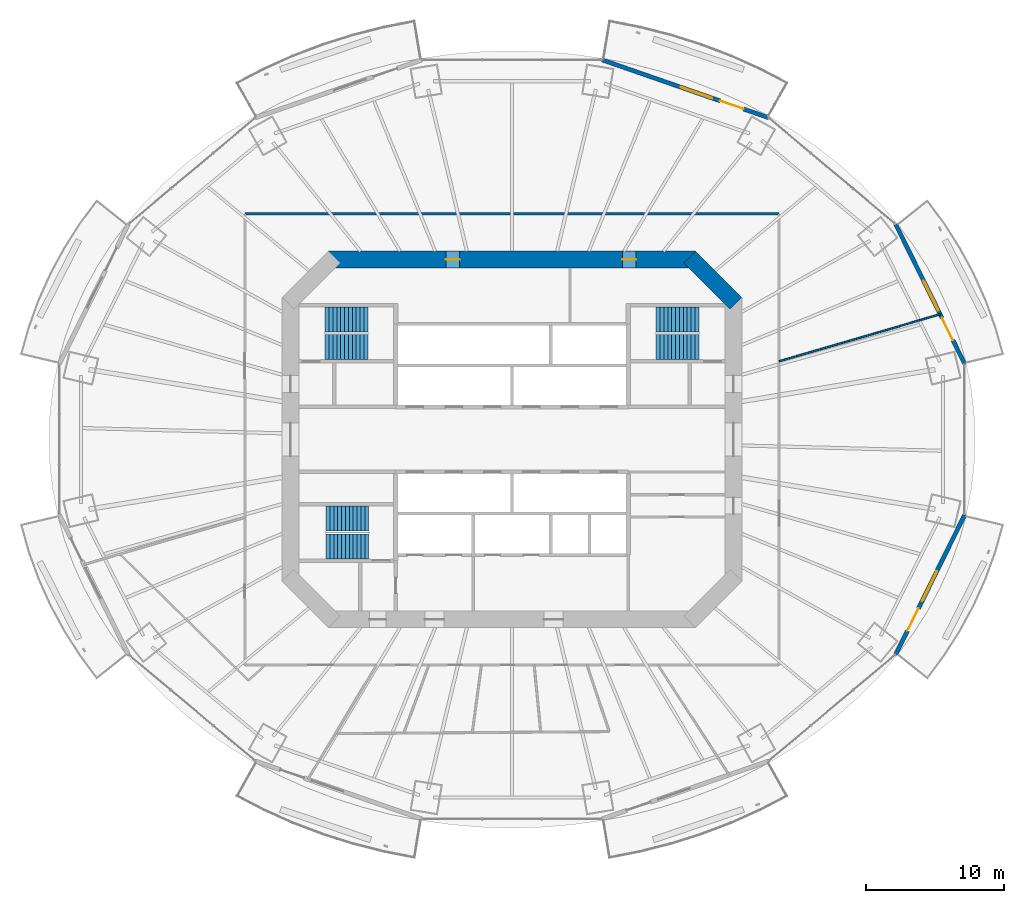
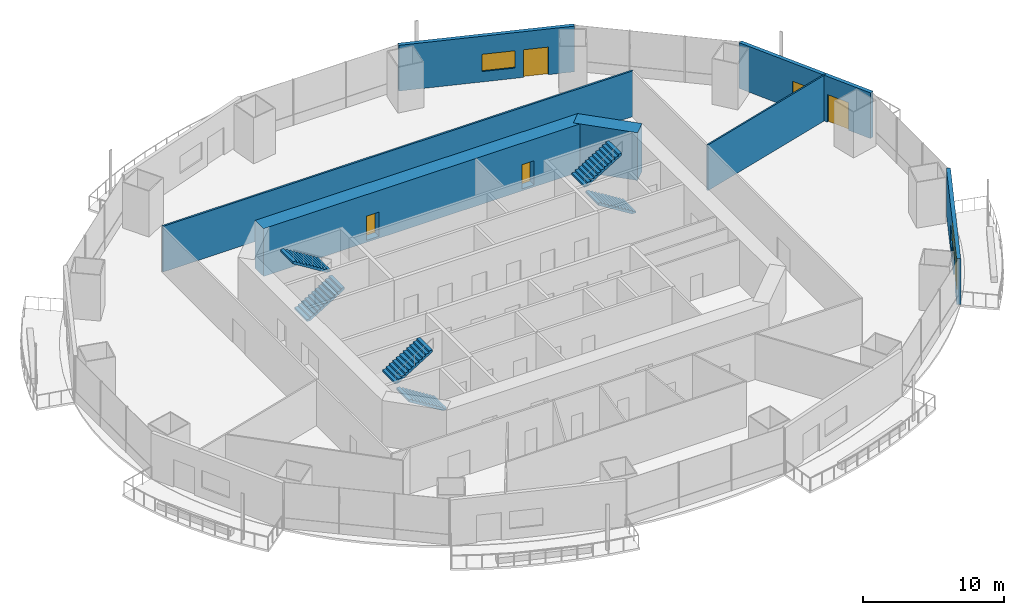
# One storey, part 15 of 20: 7 walls, 6 stair flights, 5 doors, 3 windows, 8 openings, 3 elements without a shape of their own.
"""IFC4 building model written with IfcOpenShell, lengths in metres."""

from ifc_helpers import new_model, si_unit, direction, frame, frame_2d, origin, place, context, subcontext, project, spatial, polyline, rectangle, outline, extrude, material, layer, layer_set, type_object, element, fill, aggregate, save


model = new_model("IFC4")

# Units and contexts
model_context = context("Model", 3, precision=1e-05, world=origin(), true_north=direction((0.0, 1.0)))
body_context = subcontext(model_context, "Body", "Model", "MODEL_VIEW")
ifc_project = project(units=[si_unit("LENGTHUNIT", "METRE"), si_unit("AREAUNIT", "SQUARE_METRE"), si_unit("VOLUMEUNIT", "CUBIC_METRE"), si_unit("PLANEANGLEUNIT", "RADIAN"), si_unit("MASSUNIT", "GRAM", prefix="KILO")], contexts=[model_context])

# Site, building, storey
site_placement = place(None, origin())
site = spatial("IfcSite", under=ifc_project, at=site_placement, CompositionType="ELEMENT")
building_placement = place(site_placement, origin())
building = spatial("IfcBuilding", under=site, at=building_placement, Name="Marenthal Gate Tower", CompositionType="ELEMENT")
storey_placement = place(building_placement, frame((0.0, 0.0, 132.60009765625)))
storey = spatial("IfcBuildingStorey", under=building, at=storey_placement, Name="L28", CompositionType="ELEMENT", Elevation=132.60009765625)

# Wall
ifc_material_1 = material(Name="Concrete 60 MPa", Category="concrete")
ifc_layer_1 = layer(ifc_material_1, 1.199951171875)
ifc_layer_set_1 = layer_set([ifc_layer_1], Name="Core shear wall 1200")
wall_type_1 = type_object("IfcWallType", Name="Core shear wall 1200", PredefinedType="SHEAR", material=ifc_layer_set_1)
wall_1_placement = place(storey_placement, frame((16.17578125, 9.82421875, -0.18017578125), z_axis=(0.0, 0.0, 1.0), x_axis=(-0.707106781187, 0.707106781187, 0.0)))
element("IfcWall", 1, at=wall_1_placement, inside=storey, type_object=wall_type_1, Name="Core wall 03", PredefinedType="SHEAR", context=body_context, shape_type="SweptSolid", body=[
    extrude(rectangle(XDim=4.73974609375, YDim=1.199951171875, at=frame_2d((2.369873046875, 0.0))), origin(), (0.0, 0.0, 1.0), 4.150146484375),
])

# Wall, openings, doors
wall_2_placement = place(storey_placement, frame((13.24853515625, 13.0, -0.18017578125), z_axis=(0.0, 0.0, 1.0), x_axis=(-1.0, 0.0, 0.0)))
wall_2 = element("IfcWall", 2, at=wall_2_placement, inside=storey, type_object=wall_type_1, Name="Core wall 04", PredefinedType="SHEAR", context=body_context, shape_type="SweptSolid", body=[
    extrude(rectangle(XDim=26.4970703125, YDim=1.199951171875, at=frame_2d((13.24853515625, 0.0))), origin(), (0.0, 0.0, 1.0), 4.150146484375),
])
opening_1_placement = place(wall_2_placement, frame((17.0244140625, 0.0, 0.179931640625)))
opening_1 = element("IfcOpeningElement", 3, at=opening_1_placement, cuts=wall_2, Name="Opening D005.01", PredefinedType="OPENING", context=body_context, shape_type="SweptSolid", body=[
    extrude(rectangle(XDim=1.0, YDim=2.10009765625, at=frame_2d((0.5, 1.050048828125))), frame((0.0, 0.60986328125, 0.0), z_axis=(0.0, -1.0, 0.0), x_axis=(1.0, 0.0, 0.0)), (0.0, 0.0, 1.0), 1.219970703125),
])
opening_2_placement = place(wall_2_placement, frame((4.2724609375, 0.0, 0.179931640625)))
opening_2 = element("IfcOpeningElement", 4, at=opening_2_placement, cuts=wall_2, Name="Opening D005.02", PredefinedType="OPENING", context=body_context, shape_type="SweptSolid", body=[
    extrude(rectangle(XDim=1.0, YDim=2.10009765625, at=frame_2d((0.5, 1.050048828125))), frame((0.0, 0.60986328125, 0.0), z_axis=(0.0, -1.0, 0.0), x_axis=(1.0, 0.0, 0.0)), (0.0, 0.0, 1.0), 1.219970703125),
])
ifc_material_2 = material(Name="Steel fire door", Category="steel")
door_type_1 = type_object("IfcDoorType", Name="Fire door FD 45 1000 x 2100", OperationType="NOTDEFINED", PredefinedType="DOOR", material=ifc_material_2)
door_1_placement = place(opening_1_placement, origin())
door_1 = element("IfcDoor", 5, at=door_1_placement, inside=storey, type_object=door_type_1, Name="Door D005.01", OperationType="SINGLE_SWING_RIGHT", OverallHeight=2.10009765625, OverallWidth=1.0, PredefinedType="DOOR", context=body_context, shape_type="SweptSolid", body=[
    extrude(rectangle(XDim=1.0, YDim=2.10009765625, at=frame_2d((0.5, 1.050048828125))), frame((0.0, 0.02490234375, 0.0), z_axis=(0.0, -1.0, 0.0), x_axis=(1.0, 0.0, 0.0)), (0.0, 0.0, 1.0), 0.050048828125),
])
fill(opening_1, door_1)
door_2_placement = place(opening_2_placement, origin())
door_2 = element("IfcDoor", 6, at=door_2_placement, inside=storey, type_object=door_type_1, Name="Door D005.02", OperationType="SINGLE_SWING_RIGHT", OverallHeight=2.10009765625, OverallWidth=1.0, PredefinedType="DOOR", context=body_context, shape_type="SweptSolid", body=[
    extrude(rectangle(XDim=1.0, YDim=2.10009765625, at=frame_2d((0.5, 1.050048828125))), frame((0.0, 0.02490234375, 0.0), z_axis=(0.0, -1.0, 0.0), x_axis=(1.0, 0.0, 0.0)), (0.0, 0.0, 1.0), 0.050048828125),
])
fill(opening_2, door_2)

# Walls
ifc_material_3 = material(Name="Gypsum board on steel studs", Category="steel")
ifc_layer_2 = layer(ifc_material_3, 0.1201171875)
ifc_layer_set_2 = layer_set([ifc_layer_2], Name="Partition 120")
wall_type_2 = type_object("IfcWallType", Name="Partition 120", PredefinedType="PARTITIONING", material=ifc_layer_set_2)
wall_3_placement = place(storey_placement, frame((19.300048828125, 5.64111328125, 0.0), z_axis=(0.0, 0.0, 1.0), x_axis=(0.959840289201, 0.280547000032, 0.0)))
element("IfcWall", 7, at=wall_3_placement, inside=storey, type_object=wall_type_2, Name="Partition wall 60", PredefinedType="PARTITIONING", context=body_context, shape_type="SweptSolid", body=[
    extrude(rectangle(XDim=12.1162109375, YDim=0.1201171875, at=frame_2d((6.05810546875, 0.0))), origin(), (0.0, 0.0, 1.0), 3.969970703125),
])
ifc_material_4 = material(Name="Gypsum board on steel studs", Category="steel")
ifc_layer_3 = layer(ifc_material_4, 0.14990234375)
ifc_layer_set_3 = layer_set([ifc_layer_3], Name="Partition 150")
wall_type_3 = type_object("IfcWallType", Name="Partition 150", PredefinedType="PARTITIONING", material=ifc_layer_set_3)
wall_4_placement = place(storey_placement, frame((-19.300048828125, 16.300048828125, 0.0), z_axis=(0.0, 0.0, 1.0), x_axis=(1.0, 0.0, 0.0)))
element("IfcWall", 8, at=wall_4_placement, inside=storey, type_object=wall_type_3, Name="Partition wall 50", PredefinedType="PARTITIONING", context=body_context, shape_type="SweptSolid", body=[
    extrude(rectangle(XDim=38.60009765625, YDim=0.14990234375, at=frame_2d((19.300048828125, 0.0))), origin(), (0.0, 0.0, 1.0), 3.969970703125),
])

# Wall, openings, door, window
ifc_material_5 = material(Name="Terracotta cladding on insulated concrete-block backing", Category="masonry")
ifc_layer_4 = layer(ifc_material_5, 0.300048828125)
ifc_layer_set_4 = layer_set([ifc_layer_4], Name="Terracotta facade wall 300")
wall_type_4 = type_object("IfcWallType", Name="Terracotta facade wall 300", PredefinedType="SOLIDWALL", material=ifc_layer_set_4)
wall_5_placement = place(storey_placement, frame((32.701416015625, 5.4541015625, 0.0), z_axis=(0.0, 0.0, 1.0), x_axis=(-0.442899302783, 0.896571362243, 0.0)))
wall_5 = element("IfcWall", 9, at=wall_5_placement, inside=storey, type_object=wall_type_4, Name="Terracotta facade wall L28 bay 1", PredefinedType="SOLIDWALL", context=body_context, shape_type="SweptSolid", body=[
    extrude(rectangle(XDim=11.24072265625, YDim=0.300048828125, at=frame_2d((5.620361328125, 0.0))), origin(), (0.0, 0.0, 1.0), 3.969970703125),
])
opening_3_placement = place(wall_5_placement, frame((1.89990234375, 0.0, 0.0)))
opening_3 = element("IfcOpeningElement", 10, at=opening_3_placement, cuts=wall_5, Name="Opening BD-L28-01", PredefinedType="OPENING", context=body_context, shape_type="SweptSolid", body=[
    extrude(rectangle(XDim=1.800048828125, YDim=2.39990234375, at=frame_2d((0.89990234375, 1.199951171875))), frame((0.0, 0.16015625, 0.0), z_axis=(0.0, -1.0, 0.0), x_axis=(1.0, 0.0, 0.0)), (0.0, 0.0, 1.0), 0.320068359375),
])
opening_4_placement = place(wall_5_placement, frame((4.300048828125, 0.0, 0.89990234375)))
opening_4 = element("IfcOpeningElement", 11, at=opening_4_placement, cuts=wall_5, Name="Opening WN1-L28-01", PredefinedType="OPENING", context=body_context, shape_type="SweptSolid", body=[
    extrude(rectangle(XDim=2.39990234375, YDim=1.5, at=frame_2d((1.199951171875, 0.75))), frame((0.0, 0.16015625, 0.0), z_axis=(0.0, -1.0, 0.0), x_axis=(1.0, 0.0, 0.0)), (0.0, 0.0, 1.0), 0.320068359375),
])
ifc_material_6 = material(Name="Aluminium and glass", Category="aluminium")
door_type_2 = type_object("IfcDoorType", Name="Balcony door 1800x2400", OperationType="DOUBLE_DOOR_SINGLE_SWING", PredefinedType="DOOR", material=ifc_material_6)
door_3_placement = place(opening_3_placement, origin())
door_3 = element("IfcDoor", 12, at=door_3_placement, inside=storey, type_object=door_type_2, Name="Balcony door L28 bay 1", OperationType="SINGLE_SWING_LEFT", OverallHeight=2.39990234375, OverallWidth=1.800048828125, PredefinedType="DOOR", context=body_context, shape_type="SweptSolid", body=[
    extrude(rectangle(XDim=1.800048828125, YDim=2.39990234375, at=frame_2d((0.89990234375, 1.199951171875))), frame((0.0, 0.02490234375, 0.0), z_axis=(0.0, -1.0, 0.0), x_axis=(1.0, 0.0, 0.0)), (0.0, 0.0, 1.0), 0.050048828125),
])
fill(opening_3, door_3)
ifc_material_7 = material(Name="Aluminium and glass", Category="aluminium")
window_type = type_object("IfcWindowType", Name="Window 2400x1500", PartitioningType="TRIPLE_PANEL_VERTICAL", PredefinedType="WINDOW", material=ifc_material_7)
window_1_placement = place(opening_4_placement, origin())
window_1 = element("IfcWindow", 13, at=window_1_placement, inside=storey, type_object=window_type, Name="Window L28 bay 1", OverallHeight=1.5, OverallWidth=2.39990234375, PartitioningType="SINGLE_PANEL", PredefinedType="WINDOW", context=body_context, shape_type="SweptSolid", body=[
    extrude(rectangle(XDim=2.39990234375, YDim=1.5, at=frame_2d((1.199951171875, 0.75))), frame((0.0, 0.030029296875, 0.0), z_axis=(0.0, -1.0, 0.0), x_axis=(1.0, 0.0, 0.0)), (0.0, 0.0, 1.0), 0.06005859375),
])
fill(opening_4, window_1)

wall_6_placement = place(storey_placement, frame((18.523681640625, 23.245361328125, 0.0), z_axis=(0.0, 0.0, 1.0), x_axis=(-0.944642444618, 0.328101587661, 0.0)))
wall_6 = element("IfcWall", 14, at=wall_6_placement, inside=storey, type_object=wall_type_4, Name="Terracotta facade wall L28 bay 3", PredefinedType="SOLIDWALL", context=body_context, shape_type="SweptSolid", body=[
    extrude(rectangle(XDim=12.723388671875, YDim=0.300048828125, at=frame_2d((6.36181640625, 0.0))), origin(), (0.0, 0.0, 1.0), 3.969970703125),
])
opening_5_placement = place(wall_6_placement, frame((1.89990234375, 0.0, 0.0)))
opening_5 = element("IfcOpeningElement", 15, at=opening_5_placement, cuts=wall_6, Name="Opening BD-L28-03", PredefinedType="OPENING", context=body_context, shape_type="SweptSolid", body=[
    extrude(rectangle(XDim=1.800048828125, YDim=2.39990234375, at=frame_2d((0.89990234375, 1.199951171875))), frame((0.0, 0.16015625, 0.0), z_axis=(0.0, -1.0, 0.0), x_axis=(1.0, 0.0, 0.0)), (0.0, 0.0, 1.0), 0.320068359375),
])
opening_6_placement = place(wall_6_placement, frame((4.300048828125, 0.0, 0.89990234375)))
opening_6 = element("IfcOpeningElement", 16, at=opening_6_placement, cuts=wall_6, Name="Opening WN1-L28-03", PredefinedType="OPENING", context=body_context, shape_type="SweptSolid", body=[
    extrude(rectangle(XDim=2.39990234375, YDim=1.5, at=frame_2d((1.199951171875, 0.75))), frame((0.0, 0.16015625, 0.0), z_axis=(0.0, -1.0, 0.0), x_axis=(1.0, 0.0, 0.0)), (0.0, 0.0, 1.0), 0.320068359375),
])
door_4_placement = place(opening_5_placement, origin())
door_4 = element("IfcDoor", 17, at=door_4_placement, inside=storey, type_object=door_type_2, Name="Balcony door L28 bay 3", OperationType="SINGLE_SWING_LEFT", OverallHeight=2.39990234375, OverallWidth=1.800048828125, PredefinedType="DOOR", context=body_context, shape_type="SweptSolid", body=[
    extrude(rectangle(XDim=1.800048828125, YDim=2.39990234375, at=frame_2d((0.89990234375, 1.199951171875))), frame((0.0, 0.02490234375, 0.0), z_axis=(0.0, -1.0, 0.0), x_axis=(1.0, 0.0, 0.0)), (0.0, 0.0, 1.0), 0.050048828125),
])
fill(opening_5, door_4)
window_2_placement = place(opening_6_placement, origin())
window_2 = element("IfcWindow", 18, at=window_2_placement, inside=storey, type_object=window_type, Name="Window L28 bay 3", OverallHeight=1.5, OverallWidth=2.39990234375, PartitioningType="SINGLE_PANEL", PredefinedType="WINDOW", context=body_context, shape_type="SweptSolid", body=[
    extrude(rectangle(XDim=2.39990234375, YDim=1.5, at=frame_2d((1.199951171875, 0.75))), frame((0.0, 0.030029296875, 0.0), z_axis=(0.0, -1.0, 0.0), x_axis=(1.0, 0.0, 0.0)), (0.0, 0.0, 1.0), 0.06005859375),
])
fill(opening_6, window_2)

wall_7_placement = place(storey_placement, frame((27.722900390625, -15.531982421875, 0.0), z_axis=(0.0, 0.0, 1.0), x_axis=(0.442907927452, 0.896567101672, 0.0)))
wall_7 = element("IfcWall", 19, at=wall_7_placement, inside=storey, type_object=wall_type_4, Name="Terracotta facade wall L28 bay 15", PredefinedType="SOLIDWALL", context=body_context, shape_type="SweptSolid", body=[
    extrude(rectangle(XDim=11.240478515625, YDim=0.300048828125, at=frame_2d((5.6201171875, 0.0))), origin(), (0.0, 0.0, 1.0), 3.969970703125),
])
opening_7_placement = place(wall_7_placement, frame((1.89990234375, 0.0, 0.0)))
opening_7 = element("IfcOpeningElement", 20, at=opening_7_placement, cuts=wall_7, Name="Opening BD-L28-15", PredefinedType="OPENING", context=body_context, shape_type="SweptSolid", body=[
    extrude(rectangle(XDim=1.800048828125, YDim=2.39990234375, at=frame_2d((0.89990234375, 1.199951171875))), frame((0.0, 0.16015625, 0.0), z_axis=(0.0, -1.0, 0.0), x_axis=(1.0, 0.0, 0.0)), (0.0, 0.0, 1.0), 0.320068359375),
])
opening_8_placement = place(wall_7_placement, frame((4.300048828125, 0.0, 0.89990234375)))
opening_8 = element("IfcOpeningElement", 21, at=opening_8_placement, cuts=wall_7, Name="Opening WN1-L28-15", PredefinedType="OPENING", context=body_context, shape_type="SweptSolid", body=[
    extrude(rectangle(XDim=2.39990234375, YDim=1.5, at=frame_2d((1.199951171875, 0.75))), frame((0.0, 0.16015625, 0.0), z_axis=(0.0, -1.0, 0.0), x_axis=(1.0, 0.0, 0.0)), (0.0, 0.0, 1.0), 0.320068359375),
])
door_5_placement = place(opening_7_placement, origin())
door_5 = element("IfcDoor", 22, at=door_5_placement, inside=storey, type_object=door_type_2, Name="Balcony door L28 bay 15", OperationType="SINGLE_SWING_LEFT", OverallHeight=2.39990234375, OverallWidth=1.800048828125, PredefinedType="DOOR", context=body_context, shape_type="SweptSolid", body=[
    extrude(rectangle(XDim=1.800048828125, YDim=2.39990234375, at=frame_2d((0.89990234375, 1.199951171875))), frame((0.0, 0.02490234375, 0.0), z_axis=(0.0, -1.0, 0.0), x_axis=(1.0, 0.0, 0.0)), (0.0, 0.0, 1.0), 0.050048828125),
])
fill(opening_7, door_5)
window_3_placement = place(opening_8_placement, origin())
window_3 = element("IfcWindow", 23, at=window_3_placement, inside=storey, type_object=window_type, Name="Window L28 bay 15", OverallHeight=1.5, OverallWidth=2.39990234375, PartitioningType="SINGLE_PANEL", PredefinedType="WINDOW", context=body_context, shape_type="SweptSolid", body=[
    extrude(rectangle(XDim=2.39990234375, YDim=1.5, at=frame_2d((1.199951171875, 0.75))), frame((0.0, 0.030029296875, 0.0), z_axis=(0.0, -1.0, 0.0), x_axis=(1.0, 0.0, 0.0)), (0.0, 0.0, 1.0), 0.06005859375),
])
fill(opening_8, window_3)

# Stair, stair flights
ifc_material_8 = material(Name="Concrete 40 MPa", Category="concrete")
stair_type = type_object("IfcStairType", Name="Exit stair 1800", PredefinedType="HALF_TURN_STAIR", material=ifc_material_8)
stair_1_placement = place(storey_placement, origin())
stair_1 = element("IfcStair", 24, at=stair_1_placement, inside=storey, type_object=stair_type, Name="Stair ST1", PredefinedType="HALF_TURN_STAIR")
ifc_material_9 = material(Name="Concrete 40 MPa", Category="concrete")
stair_flight_type = type_object("IfcStairFlightType", Name="Stair flight 1800", PredefinedType="STRAIGHT", material=ifc_material_9)
stair_flight_1_placement = place(storey_placement, frame((-13.5, 6.675048828125, 0.0), z_axis=(0.0, 0.0, 1.0), x_axis=(1.0, 0.0, 0.0)))
stair_flight_1 = element("IfcStairFlight", 25, at=stair_flight_1_placement, type_object=stair_flight_type, Name="ST1 flight 1", NumberOfRisers=12, NumberOfTreads=11, PredefinedType="STRAIGHT", RiserHeight=0.172916667, TreadLength=0.28, context=body_context, shape_type="SweptSolid", body=[
    extrude(outline(polyline([(0.0, 0.0), (0.0, 0.1728515625), (0.280029296875, 0.1728515625), (0.280029296875, 0.345947265625), (0.56005859375, 0.345947265625), (0.56005859375, 0.518798828125), (0.840087890625, 0.518798828125), (0.840087890625, 0.691650390625), (1.1201171875, 0.691650390625), (1.1201171875, 0.864501953125), (1.39990234375, 0.864501953125), (1.39990234375, 1.03759765625), (1.679931640625, 1.03759765625), (1.679931640625, 1.21044921875), (1.9599609375, 1.21044921875), (1.9599609375, 1.38330078125), (2.239990234375, 1.38330078125), (2.239990234375, 1.55615234375), (2.52001953125, 1.55615234375), (2.52001953125, 1.729248046875), (2.800048828125, 1.729248046875), (2.800048828125, 1.902099609375), (3.080078125, 1.902099609375), (3.080078125, 2.074951171875), (3.080078125, 1.725830078125), (0.285400390625, 0.0), (0.0, 0.0)])), frame((0.0, 0.89990234375, 0.0), z_axis=(0.0, -1.0, 0.0), x_axis=(1.0, 0.0, 0.0)), (0.0, 0.0, 1.0), 1.800048828125),
])
stair_flight_2_placement = place(storey_placement, frame((-10.419921875, 8.675048828125, 2.074951171875), z_axis=(0.0, 0.0, 1.0), x_axis=(-1.0, 0.0, 0.0)))
stair_flight_2 = element("IfcStairFlight", 26, at=stair_flight_2_placement, type_object=stair_flight_type, Name="ST1 flight 2", NumberOfRisers=12, NumberOfTreads=11, PredefinedType="STRAIGHT", RiserHeight=0.172916667, TreadLength=0.28, context=body_context, shape_type="SweptSolid", body=[
    extrude(outline(polyline([(0.0, 0.0), (0.0, 0.1728515625), (0.280029296875, 0.1728515625), (0.280029296875, 0.345947265625), (0.56005859375, 0.345947265625), (0.56005859375, 0.518798828125), (0.840087890625, 0.518798828125), (0.840087890625, 0.691650390625), (1.1201171875, 0.691650390625), (1.1201171875, 0.864501953125), (1.39990234375, 0.864501953125), (1.39990234375, 1.03759765625), (1.679931640625, 1.03759765625), (1.679931640625, 1.21044921875), (1.9599609375, 1.21044921875), (1.9599609375, 1.38330078125), (2.239990234375, 1.38330078125), (2.239990234375, 1.55615234375), (2.52001953125, 1.55615234375), (2.52001953125, 1.729248046875), (2.800048828125, 1.729248046875), (2.800048828125, 1.902099609375), (3.080078125, 1.902099609375), (3.080078125, 2.074951171875), (3.080078125, 1.725830078125), (0.285400390625, 0.0), (0.0, 0.0)])), frame((0.0, 0.89990234375, 0.0), z_axis=(0.0, -1.0, 0.0), x_axis=(1.0, 0.0, 0.0)), (0.0, 0.0, 1.0), 1.800048828125),
])
aggregate(stair_1, [stair_flight_1, stair_flight_2])

stair_2_placement = place(storey_placement, origin())
stair_2 = element("IfcStair", 27, at=stair_2_placement, inside=storey, type_object=stair_type, Name="Stair ST2", PredefinedType="HALF_TURN_STAIR")
stair_flight_3_placement = place(storey_placement, frame((-10.35009765625, -7.72509765625, 0.0), z_axis=(0.0, 0.0, 1.0), x_axis=(-1.0, 0.0, 0.0)))
stair_flight_3 = element("IfcStairFlight", 28, at=stair_flight_3_placement, type_object=stair_flight_type, Name="ST2 flight 1", NumberOfRisers=12, NumberOfTreads=11, PredefinedType="STRAIGHT", RiserHeight=0.172916667, TreadLength=0.28, context=body_context, shape_type="SweptSolid", body=[
    extrude(outline(polyline([(0.0, 0.0), (0.0, 0.1728515625), (0.280029296875, 0.1728515625), (0.280029296875, 0.345947265625), (0.56005859375, 0.345947265625), (0.56005859375, 0.518798828125), (0.840087890625, 0.518798828125), (0.840087890625, 0.691650390625), (1.1201171875, 0.691650390625), (1.1201171875, 0.864501953125), (1.39990234375, 0.864501953125), (1.39990234375, 1.03759765625), (1.679931640625, 1.03759765625), (1.679931640625, 1.21044921875), (1.9599609375, 1.21044921875), (1.9599609375, 1.38330078125), (2.239990234375, 1.38330078125), (2.239990234375, 1.55615234375), (2.52001953125, 1.55615234375), (2.52001953125, 1.729248046875), (2.800048828125, 1.729248046875), (2.800048828125, 1.902099609375), (3.080078125, 1.902099609375), (3.080078125, 2.074951171875), (3.080078125, 1.725830078125), (0.285400390625, 0.0), (0.0, 0.0)])), frame((0.0, 0.89990234375, 0.0), z_axis=(0.0, -1.0, 0.0), x_axis=(1.0, 0.0, 0.0)), (0.0, 0.0, 1.0), 1.800048828125),
])
stair_flight_4_placement = place(storey_placement, frame((-13.429931640625, -5.72509765625, 2.074951171875), z_axis=(0.0, 0.0, 1.0), x_axis=(1.0, 0.0, 0.0)))
stair_flight_4 = element("IfcStairFlight", 29, at=stair_flight_4_placement, type_object=stair_flight_type, Name="ST2 flight 2", NumberOfRisers=12, NumberOfTreads=11, PredefinedType="STRAIGHT", RiserHeight=0.172916667, TreadLength=0.28, context=body_context, shape_type="SweptSolid", body=[
    extrude(outline(polyline([(0.0, 0.0), (0.0, 0.1728515625), (0.280029296875, 0.1728515625), (0.280029296875, 0.345947265625), (0.56005859375, 0.345947265625), (0.56005859375, 0.518798828125), (0.840087890625, 0.518798828125), (0.840087890625, 0.691650390625), (1.1201171875, 0.691650390625), (1.1201171875, 0.864501953125), (1.39990234375, 0.864501953125), (1.39990234375, 1.03759765625), (1.679931640625, 1.03759765625), (1.679931640625, 1.21044921875), (1.9599609375, 1.21044921875), (1.9599609375, 1.38330078125), (2.239990234375, 1.38330078125), (2.239990234375, 1.55615234375), (2.52001953125, 1.55615234375), (2.52001953125, 1.729248046875), (2.800048828125, 1.729248046875), (2.800048828125, 1.902099609375), (3.080078125, 1.902099609375), (3.080078125, 2.074951171875), (3.080078125, 1.725830078125), (0.285400390625, 0.0), (0.0, 0.0)])), frame((0.0, 0.89990234375, 0.0), z_axis=(0.0, -1.0, 0.0), x_axis=(1.0, 0.0, 0.0)), (0.0, 0.0, 1.0), 1.800048828125),
])
aggregate(stair_2, [stair_flight_3, stair_flight_4])

stair_3_placement = place(storey_placement, origin())
stair_3 = element("IfcStair", 30, at=stair_3_placement, inside=storey, type_object=stair_type, Name="Stair ST3", PredefinedType="HALF_TURN_STAIR")
stair_flight_5_placement = place(storey_placement, frame((13.5, 6.675048828125, 0.0), z_axis=(0.0, 0.0, 1.0), x_axis=(-1.0, 0.0, 0.0)))
stair_flight_5 = element("IfcStairFlight", 31, at=stair_flight_5_placement, type_object=stair_flight_type, Name="ST3 flight 1", NumberOfRisers=12, NumberOfTreads=11, PredefinedType="STRAIGHT", RiserHeight=0.172916667, TreadLength=0.28, context=body_context, shape_type="SweptSolid", body=[
    extrude(outline(polyline([(0.0, 0.0), (0.0, 0.1728515625), (0.280029296875, 0.1728515625), (0.280029296875, 0.345947265625), (0.56005859375, 0.345947265625), (0.56005859375, 0.518798828125), (0.840087890625, 0.518798828125), (0.840087890625, 0.691650390625), (1.1201171875, 0.691650390625), (1.1201171875, 0.864501953125), (1.39990234375, 0.864501953125), (1.39990234375, 1.03759765625), (1.679931640625, 1.03759765625), (1.679931640625, 1.21044921875), (1.9599609375, 1.21044921875), (1.9599609375, 1.38330078125), (2.239990234375, 1.38330078125), (2.239990234375, 1.55615234375), (2.52001953125, 1.55615234375), (2.52001953125, 1.729248046875), (2.800048828125, 1.729248046875), (2.800048828125, 1.902099609375), (3.080078125, 1.902099609375), (3.080078125, 2.074951171875), (3.080078125, 1.725830078125), (0.285400390625, 0.0), (0.0, 0.0)])), frame((0.0, 0.89990234375, 0.0), z_axis=(0.0, -1.0, 0.0), x_axis=(1.0, 0.0, 0.0)), (0.0, 0.0, 1.0), 1.800048828125),
])
stair_flight_6_placement = place(storey_placement, frame((10.419921875, 8.675048828125, 2.074951171875), z_axis=(0.0, 0.0, 1.0), x_axis=(1.0, 0.0, 0.0)))
stair_flight_6 = element("IfcStairFlight", 32, at=stair_flight_6_placement, type_object=stair_flight_type, Name="ST3 flight 2", NumberOfRisers=12, NumberOfTreads=11, PredefinedType="STRAIGHT", RiserHeight=0.172916667, TreadLength=0.28, context=body_context, shape_type="SweptSolid", body=[
    extrude(outline(polyline([(0.0, 0.0), (0.0, 0.1728515625), (0.280029296875, 0.1728515625), (0.280029296875, 0.345947265625), (0.56005859375, 0.345947265625), (0.56005859375, 0.518798828125), (0.840087890625, 0.518798828125), (0.840087890625, 0.691650390625), (1.1201171875, 0.691650390625), (1.1201171875, 0.864501953125), (1.39990234375, 0.864501953125), (1.39990234375, 1.03759765625), (1.679931640625, 1.03759765625), (1.679931640625, 1.21044921875), (1.9599609375, 1.21044921875), (1.9599609375, 1.38330078125), (2.239990234375, 1.38330078125), (2.239990234375, 1.55615234375), (2.52001953125, 1.55615234375), (2.52001953125, 1.729248046875), (2.800048828125, 1.729248046875), (2.800048828125, 1.902099609375), (3.080078125, 1.902099609375), (3.080078125, 2.074951171875), (3.080078125, 1.725830078125), (0.285400390625, 0.0), (0.0, 0.0)])), frame((0.0, 0.89990234375, 0.0), z_axis=(0.0, -1.0, 0.0), x_axis=(1.0, 0.0, 0.0)), (0.0, 0.0, 1.0), 1.800048828125),
])
aggregate(stair_3, [stair_flight_5, stair_flight_6])

save(model, "model.ifc")
